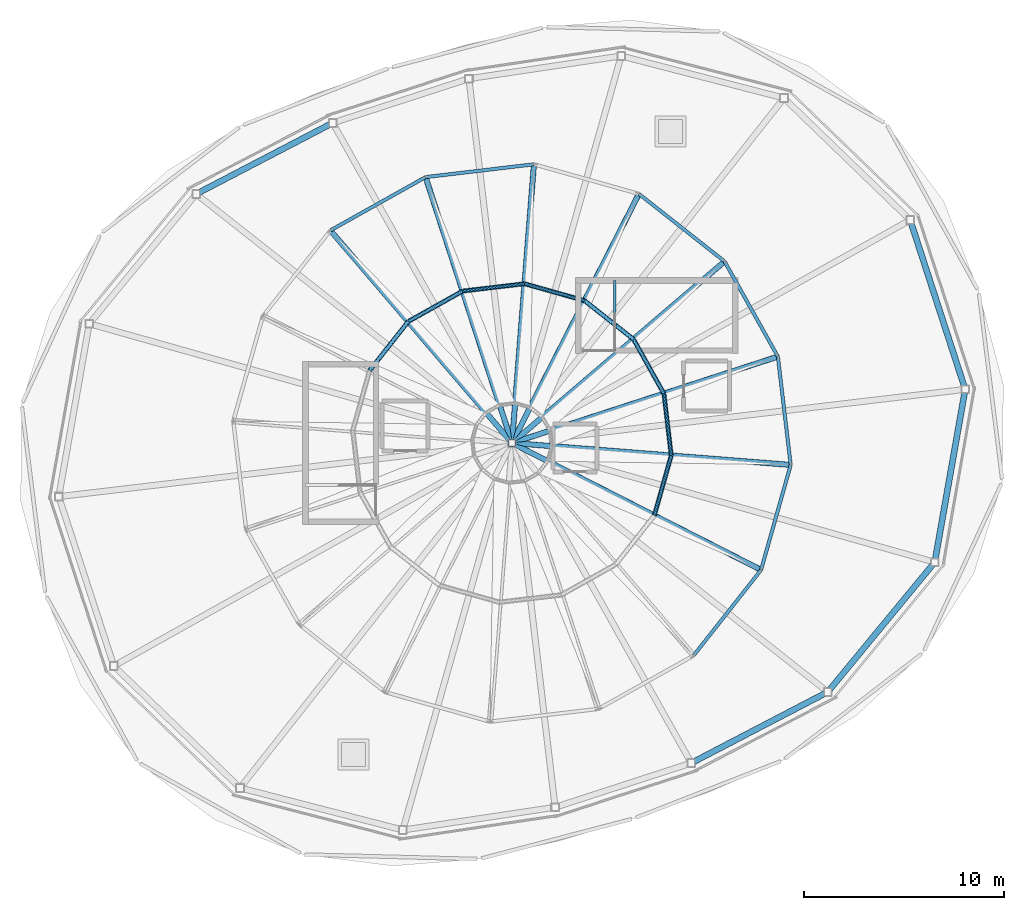
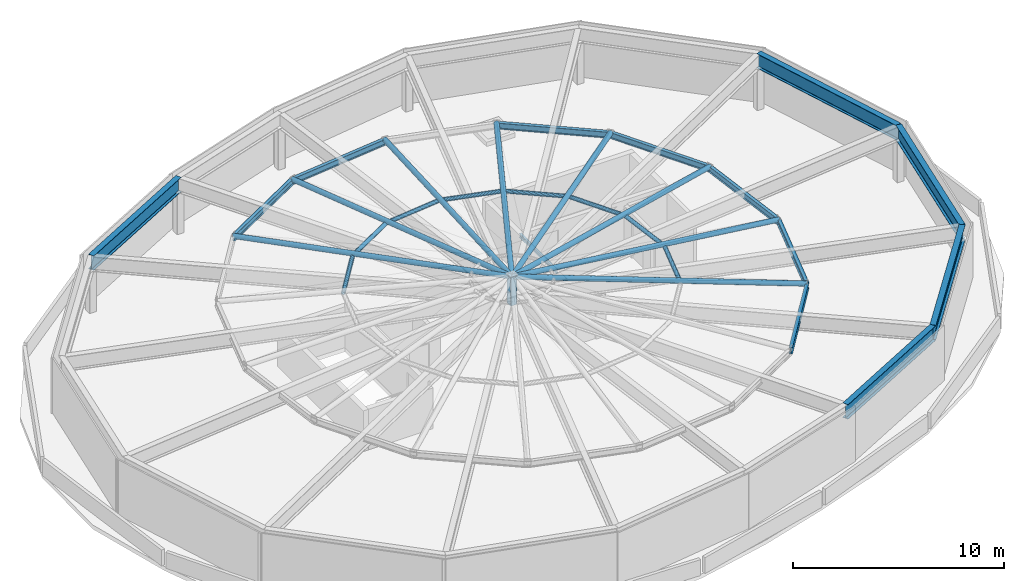
# One storey, part 2 of 9: 17 members, 13 beams.
"""IFC4 building model written with IfcOpenShell, lengths in metres."""

from ifc_helpers import new_model, si_unit, direction, frame, origin, origin_2d, place, context, subcontext, project, spatial, hollow_rectangle, hollow_circle, i_section, extrude, material, material_profile, profile_set, type_object, element, save


model = new_model("IFC4")

# Units and contexts
model_context = context("Model", 3, precision=1e-05, world=origin(), true_north=direction((0.0, 1.0)))
body_context = subcontext(model_context, "Body", "Model", "MODEL_VIEW")
ifc_project = project(units=[si_unit("LENGTHUNIT", "METRE"), si_unit("AREAUNIT", "SQUARE_METRE"), si_unit("VOLUMEUNIT", "CUBIC_METRE"), si_unit("PLANEANGLEUNIT", "RADIAN"), si_unit("MASSUNIT", "GRAM", prefix="KILO")], contexts=[model_context])

# Site, building, storey
site_placement = place(None, origin())
site = spatial("IfcSite", under=ifc_project, at=site_placement, CompositionType="ELEMENT")
building_placement = place(site_placement, origin())
building = spatial("IfcBuilding", under=site, at=building_placement, Name="Kazma Halo Residences", CompositionType="ELEMENT")
storey_placement = place(building_placement, frame((0.0, 0.0, 377.60009765625)))
storey = spatial("IfcBuildingStorey", under=building, at=storey_placement, Name="Roof", CompositionType="ELEMENT", Elevation=377.60009765625)

# Beams
ifc_material = material(Name="Steel S355", Category="steel")
ifc_material_profile_1 = material_profile(ifc_material, i_section(OverallWidth=0.299072265625, OverallDepth=0.845947265625, WebThickness=0.015380859375, FlangeThickness=0.0244140625, FilletRadius=0.02197265625, at=origin_2d()), Name="W840x210")
ifc_profile_set_1 = profile_set([ifc_material_profile_1], Name="Steel S355")
beam_type_1 = type_object("IfcBeamType", Name="BM-RING-W840", PredefinedType="BEAM", material=ifc_profile_set_1)
for number, where, z_axis, x_axis, name in (
    (1, (39.0234375, 58.02880859375, 2.77685546875), (-0.886940838721, -0.461883046461, 0.0), (0.461883046461, -0.886940838721, 0.0), "Crown top perimeter ring beam 05"),
    (2, (56.9765625, 25.97119140625, 2.77685546875), (0.886940838721, 0.461883046461, 0.0), (-0.461883046461, 0.886940838721, 0.0), "Crown top perimeter ring beam 13"),
):
    element("IfcBeam", number, at=place(storey_placement, frame(where, z_axis=z_axis, x_axis=x_axis)), inside=storey, type_object=beam_type_1, Name=name, PredefinedType="BEAM", context=body_context, shape_type="SweptSolid", body=[
        extrude(i_section(OverallWidth=0.299072265625, OverallDepth=0.845947265625, WebThickness=0.015380859375, FlangeThickness=0.0244140625, FilletRadius=0.02197265625, at=origin_2d()), origin(), (0.0, 0.0, 1.0), 7.71044921875),
    ])
beam_1_placement = place(storey_placement, frame((63.815185546875, 29.532470703125, 2.77685546875), z_axis=(0.636005014199, 0.77168492399, 0.0), x_axis=(-0.77168492399, 0.636005014199, 0.0)))
element("IfcBeam", 3, at=beam_1_placement, inside=storey, type_object=beam_type_1, Name="Crown top perimeter ring beam 14", PredefinedType="BEAM", context=body_context, shape_type="SweptSolid", body=[
    extrude(i_section(OverallWidth=0.299072265625, OverallDepth=0.845947265625, WebThickness=0.015380859375, FlangeThickness=0.0244140625, FilletRadius=0.02197265625, at=origin_2d()), origin(), (0.0, 0.0, 1.0), 8.41943359375),
])
beam_2_placement = place(storey_placement, frame((69.169921875, 36.029541015625, 2.77685546875), z_axis=(0.173642734291, 0.984808712811, 0.0), x_axis=(-0.984808712811, 0.173642734291, 0.0)))
element("IfcBeam", 4, at=beam_2_placement, inside=storey, type_object=beam_type_1, Name="Crown top perimeter ring beam 15", PredefinedType="BEAM", context=body_context, shape_type="SweptSolid", body=[
    extrude(i_section(OverallWidth=0.299072265625, OverallDepth=0.845947265625, WebThickness=0.015380859375, FlangeThickness=0.0244140625, FilletRadius=0.02197265625, at=origin_2d()), origin(), (0.0, 0.0, 1.0), 8.790283203125),
])
beam_3_placement = place(storey_placement, frame((70.6962890625, 44.686279296875, 2.77685546875), z_axis=(-0.309015498459, 0.951057002346, 0.0), x_axis=(-0.951057002346, -0.309015498459, 0.0)))
element("IfcBeam", 5, at=beam_3_placement, inside=storey, type_object=beam_type_1, Name="Crown top perimeter ring beam 16", PredefinedType="BEAM", context=body_context, shape_type="SweptSolid", body=[
    extrude(i_section(OverallWidth=0.299072265625, OverallDepth=0.845947265625, WebThickness=0.015380859375, FlangeThickness=0.0244140625, FilletRadius=0.02197265625, at=origin_2d()), origin(), (0.0, 0.0, 1.0), 8.91748046875),
])
ifc_material_profile_2 = material_profile(ifc_material, i_section(OverallWidth=0.1708984375, OverallDepth=0.35498046875, WebThickness=0.007080078125, FlangeThickness=0.01171875, FilletRadius=0.013916015625, at=origin_2d()), Name="W360x51")
ifc_profile_set_2 = profile_set([ifc_material_profile_2], Name="Steel S355")
beam_type_2 = type_object("IfcBeamType", Name="BM-SPN-W360", PredefinedType="BEAM", material=ifc_profile_set_2)
for number, where, z_axis, x_axis, name in (
    (6, (61.314697265625, 46.326171875, 2.949951171875), (-0.488592481248, 0.872512112964, 0.0), (-0.872512112964, -0.488592481248, 0.0), "Crown skylight eave ring beam 01"),
    (7, (58.645751953125, 51.09228515625, 2.949951171875), (-0.785313877715, 0.619097822213, 0.0), (-0.619097822213, -0.785313877715, 0.0), "Crown skylight eave ring beam 02"),
    (8, (49.098388671875, 55.956787109375, 2.949951171875), (-0.993067371545, -0.117546567675, 0.0), (0.117546567675, -0.993067371545, 0.0), "Crown skylight eave ring beam 04"),
    (9, (43.673828125, 55.314697265625, 2.949951171875), (-0.872512112964, -0.488592481248, 0.0), (0.488592481248, -0.872512112964, 0.0), "Crown skylight eave ring beam 05"),
    (10, (57.09228515625, 31.354248046875, 2.949951171875), (0.619097822213, 0.785313877715, 0.0), (-0.785313877715, 0.619097822213, 0.0), "Crown skylight eave ring beam 14"),
):
    element("IfcBeam", number, at=place(storey_placement, frame(where, z_axis=z_axis, x_axis=x_axis)), inside=storey, type_object=beam_type_2, Name=name, PredefinedType="BEAM", context=body_context, shape_type="SweptSolid", body=[
        extrude(i_section(OverallWidth=0.1708984375, OverallDepth=0.35498046875, WebThickness=0.007080078125, FlangeThickness=0.01171875, FilletRadius=0.013916015625, at=origin_2d()), origin(), (0.0, 0.0, 1.0), 5.46240234375),
    ])
beam_4_placement = place(storey_placement, frame((60.47412109375, 35.64404296875, 2.949951171875), z_axis=(0.271419826878, 0.962461052499, 0.0), x_axis=(-0.962461052499, 0.271419826878, 0.0)))
element("IfcBeam", 11, at=beam_4_placement, inside=storey, type_object=beam_type_2, Name="Crown skylight eave ring beam 15", PredefinedType="BEAM", context=body_context, shape_type="SweptSolid", body=[
    extrude(i_section(OverallWidth=0.1708984375, OverallDepth=0.35498046875, WebThickness=0.007080078125, FlangeThickness=0.01171875, FilletRadius=0.013916015625, at=origin_2d()), origin(), (0.0, 0.0, 1.0), 5.462646484375),
])
beam_5_placement = place(storey_placement, frame((61.956787109375, 40.901611328125, 2.949951171875), z_axis=(-0.117546567675, 0.993067371545, 0.0), x_axis=(-0.993067371545, -0.117546567675, 0.0)))
element("IfcBeam", 12, at=beam_5_placement, inside=storey, type_object=beam_type_2, Name="Crown skylight eave ring beam 16", PredefinedType="BEAM", context=body_context, shape_type="SweptSolid", body=[
    extrude(i_section(OverallWidth=0.1708984375, OverallDepth=0.35498046875, WebThickness=0.007080078125, FlangeThickness=0.01171875, FilletRadius=0.013916015625, at=origin_2d()), origin(), (0.0, 0.0, 1.0), 5.46240234375),
])
ifc_material_profile_3 = material_profile(ifc_material, i_section(OverallWidth=0.133056640625, OverallDepth=0.20703125, WebThickness=0.005859375, FlangeThickness=0.00830078125, FilletRadius=0.010009765625, at=origin_2d()), Name="W200x26.6")
ifc_profile_set_3 = profile_set([ifc_material_profile_3], Name="Steel S355")
beam_type_3 = type_object("IfcBeamType", Name="BM-TRIM-W200", PredefinedType="BEAM", material=ifc_profile_set_3)
beam_6_placement = place(storey_placement, frame((53.14990234375, 46.6201171875, -0.35009765625), z_axis=(0.0, 1.0, 0.0), x_axis=(-1.0, 0.0, 0.0)))
element("IfcBeam", 13, at=beam_6_placement, inside=storey, type_object=beam_type_3, Name="Roof ST-02 arrival landing trimmer", PredefinedType="BEAM", context=body_context, shape_type="SweptSolid", body=[
    extrude(i_section(OverallWidth=0.133056640625, OverallDepth=0.20703125, WebThickness=0.005859375, FlangeThickness=0.00830078125, FilletRadius=0.010009765625, at=origin_2d()), origin(), (0.0, 0.0, 1.0), 3.519775390625),
])

# Members
ifc_material_profile_4 = material_profile(ifc_material, hollow_rectangle(XDim=0.35009765625, YDim=0.35009765625, WallThickness=0.01611328125, InnerFilletRadius=0.01611328125, OuterFilletRadius=0.031982421875, at=origin_2d()), Name="SHS350x350x16")
ifc_profile_set_4 = profile_set([ifc_material_profile_4], Name="Steel S355")
member_type_1 = type_object("IfcMemberType", Name="MBR-POST-SHS350", PredefinedType="STRUT", material=ifc_profile_set_4)
member_1_placement = place(storey_placement, frame((48.0, 42.0, 2.427001953125), z_axis=(0.0, 0.0, 1.0), x_axis=(1.0, 0.0, 0.0)))
element("IfcMember", 14, at=member_1_placement, inside=storey, type_object=member_type_1, Name="Crown skylight central hub kingpost", PredefinedType="STRUT", context=body_context, shape_type="SweptSolid", body=[
    extrude(hollow_rectangle(XDim=0.35009765625, YDim=0.35009765625, WallThickness=0.01611328125, InnerFilletRadius=0.01611328125, OuterFilletRadius=0.031982421875, at=origin_2d()), origin(), (0.0, 0.0, 1.0), 1.6650390625),
])
ifc_material_profile_5 = material_profile(ifc_material, hollow_circle(Radius=0.109619140625, WallThickness=0.008056640625, at=origin_2d()), Name="CHS219.1x8")
ifc_profile_set_5 = profile_set([ifc_material_profile_5], Name="Steel S355")
member_type_2 = type_object("IfcMemberType", Name="MBR-SKYL-CHS219", PredefinedType="PURLIN", material=ifc_profile_set_5)
member_2_placement = place(storey_placement, frame((55.6083984375, 44.47216796875, 3.3388671875), z_axis=(-0.488615277533, 0.872499347027, 0.0), x_axis=(-0.872499347027, -0.488615277533, 0.0)))
element("IfcMember", 15, at=member_2_placement, inside=storey, type_object=member_type_2, Name="Crown skylight purlin 01", PredefinedType="PURLIN", context=body_context, shape_type="SweptSolid", body=[
    extrude(hollow_circle(Radius=0.109619140625, WallThickness=0.008056640625, at=origin_2d()), origin(), (0.0, 0.0, 1.0), 3.121337890625),
])
member_3_placement = place(storey_placement, frame((54.083251953125, 47.195556640625, 3.3388671875), z_axis=(-0.785304996369, 0.619109087866, 0.0), x_axis=(-0.619109087866, -0.785304996369, 0.0)))
element("IfcMember", 16, at=member_3_placement, inside=storey, type_object=member_type_2, Name="Crown skylight purlin 02", PredefinedType="PURLIN", context=body_context, shape_type="SweptSolid", body=[
    extrude(hollow_circle(Radius=0.109619140625, WallThickness=0.008056640625, at=origin_2d()), origin(), (0.0, 0.0, 1.0), 3.12158203125),
])
member_4_placement = place(storey_placement, frame((51.6318359375, 49.128173828125, 3.3388671875), z_axis=(-0.962462774581, 0.27141372026, 0.0), x_axis=(-0.27141372026, -0.962462774581, 0.0)))
element("IfcMember", 17, at=member_4_placement, inside=storey, type_object=member_type_2, Name="Crown skylight purlin 03", PredefinedType="PURLIN", context=body_context, shape_type="SweptSolid", body=[
    extrude(hollow_circle(Radius=0.109619140625, WallThickness=0.008056640625, at=origin_2d()), origin(), (0.0, 0.0, 1.0), 3.121337890625),
])
member_5_placement = place(storey_placement, frame((48.627685546875, 49.975341796875, 3.3388671875), z_axis=(-0.993066530397, -0.117553673717, 0.0), x_axis=(0.117553673717, -0.993066530397, 0.0)))
element("IfcMember", 18, at=member_5_placement, inside=storey, type_object=member_type_2, Name="Crown skylight purlin 04", PredefinedType="PURLIN", context=body_context, shape_type="SweptSolid", body=[
    extrude(hollow_circle(Radius=0.109619140625, WallThickness=0.008056640625, at=origin_2d()), origin(), (0.0, 0.0, 1.0), 3.12158203125),
])
member_6_placement = place(storey_placement, frame((45.52783203125, 49.6083984375, 3.3388671875), z_axis=(-0.872499347027, -0.488615277533, 0.0), x_axis=(0.488615277533, -0.872499347027, 0.0)))
element("IfcMember", 19, at=member_6_placement, inside=storey, type_object=member_type_2, Name="Crown skylight purlin 05", PredefinedType="PURLIN", context=body_context, shape_type="SweptSolid", body=[
    extrude(hollow_circle(Radius=0.109619140625, WallThickness=0.008056640625, at=origin_2d()), origin(), (0.0, 0.0, 1.0), 3.121337890625),
])
member_7_placement = place(storey_placement, frame((42.804443359375, 48.083251953125, 3.3388671875), z_axis=(-0.619109087866, -0.785304996369, 0.0), x_axis=(0.785304996369, -0.619109087866, 0.0)))
element("IfcMember", 20, at=member_7_placement, inside=storey, type_object=member_type_2, Name="Crown skylight purlin 06", PredefinedType="PURLIN", context=body_context, shape_type="SweptSolid", body=[
    extrude(hollow_circle(Radius=0.109619140625, WallThickness=0.008056640625, at=origin_2d()), origin(), (0.0, 0.0, 1.0), 3.12158203125),
])
member_8_placement = place(storey_placement, frame((55.128173828125, 38.3681640625, 3.3388671875), z_axis=(0.27141372026, 0.962462774581, 0.0), x_axis=(-0.962462774581, 0.27141372026, 0.0)))
element("IfcMember", 21, at=member_8_placement, inside=storey, type_object=member_type_2, Name="Crown skylight purlin 15", PredefinedType="PURLIN", context=body_context, shape_type="SweptSolid", body=[
    extrude(hollow_circle(Radius=0.109619140625, WallThickness=0.008056640625, at=origin_2d()), origin(), (0.0, 0.0, 1.0), 3.121337890625),
])
member_9_placement = place(storey_placement, frame((55.975341796875, 41.372314453125, 3.3388671875), z_axis=(-0.117553673717, 0.993066530397, 0.0), x_axis=(-0.993066530397, -0.117553673717, 0.0)))
element("IfcMember", 22, at=member_9_placement, inside=storey, type_object=member_type_2, Name="Crown skylight purlin 16", PredefinedType="PURLIN", context=body_context, shape_type="SweptSolid", body=[
    extrude(hollow_circle(Radius=0.109619140625, WallThickness=0.008056640625, at=origin_2d()), origin(), (0.0, 0.0, 1.0), 3.12158203125),
])
ifc_material_profile_6 = material_profile(ifc_material, hollow_circle(Radius=0.136474609375, WallThickness=0.010009765625, at=origin_2d()), Name="CHS273x10")
ifc_profile_set_6 = profile_set([ifc_material_profile_6], Name="Steel S355")
member_type_3 = type_object("IfcMemberType", Name="MBR-SKYL-CHS273", PredefinedType="RAFTER", material=ifc_profile_set_6)
member_10_placement = place(storey_placement, frame((61.314697265625, 46.326171875, 3.059814453125), z_axis=(-0.949045199896, -0.308360946553, 0.065013346294), x_axis=(0.309014699749, -0.951057261861, 0.0)))
element("IfcMember", 23, at=member_10_placement, inside=storey, type_object=member_type_3, Name="Crown 5.2-deg skylight radial rafter 01", PredefinedType="RAFTER", context=body_context, shape_type="SweptSolid", body=[
    extrude(hollow_circle(Radius=0.136474609375, WallThickness=0.010009765625, at=origin_2d()), origin(), (0.0, 0.0, 1.0), 14.029541015625),
])
for number, where, z_axis, x_axis, name in (
    (24, (58.645751953125, 51.09228515625, 3.059814453125), (-0.758798903592, -0.648072211158, 0.065012560574), (0.649446149754, -0.760407587133, 0.0), "Crown 5.2-deg skylight radial rafter 02"),
    (25, (54.35595703125, 54.47412109375, 3.059814453125), (-0.453034296014, -0.889119394659, 0.065012527076), (0.891004360822, -0.45399474556, 0.0), "Crown 5.2-deg skylight radial rafter 03"),
):
    element("IfcMember", number, at=place(storey_placement, frame(where, z_axis=z_axis, x_axis=x_axis)), inside=storey, type_object=member_type_3, Name=name, PredefinedType="RAFTER", context=body_context, shape_type="SweptSolid", body=[
        extrude(hollow_circle(Radius=0.136474609375, WallThickness=0.010009765625, at=origin_2d()), origin(), (0.0, 0.0, 1.0), 14.02978515625),
    ])
for number, where, z_axis, x_axis, name in (
    (26, (49.098388671875, 55.956787109375, 3.059814453125), (-0.078290678995, -0.994808456568, 0.065013108852), (0.996917525338, -0.078456661124, 0.0), "Crown 5.2-deg skylight radial rafter 04"),
    (27, (43.673828125, 55.314697265625, 3.059814453125), (0.308360946553, -0.949045199896, 0.065013346294), (0.951057261861, 0.309014699749, 0.0), "Crown 5.2-deg skylight radial rafter 05"),
):
    element("IfcMember", number, at=place(storey_placement, frame(where, z_axis=z_axis, x_axis=x_axis)), inside=storey, type_object=member_type_3, Name=name, PredefinedType="RAFTER", context=body_context, shape_type="SweptSolid", body=[
        extrude(hollow_circle(Radius=0.136474609375, WallThickness=0.010009765625, at=origin_2d()), origin(), (0.0, 0.0, 1.0), 14.029541015625),
    ])
for number, where, z_axis, x_axis, name in (
    (28, (38.90771484375, 52.645751953125, 3.059814453125), (0.648072211158, -0.758798903592, 0.065012560574), (0.760407587133, 0.649446149754, 0.0), "Crown 5.2-deg skylight radial rafter 06"),
    (29, (60.47412109375, 35.64404296875, 3.059814453125), (-0.889119394659, 0.453034296014, 0.065012527076), (-0.45399474556, -0.891004360822, 0.0), "Crown 5.2-deg skylight radial rafter 15"),
):
    element("IfcMember", number, at=place(storey_placement, frame(where, z_axis=z_axis, x_axis=x_axis)), inside=storey, type_object=member_type_3, Name=name, PredefinedType="RAFTER", context=body_context, shape_type="SweptSolid", body=[
        extrude(hollow_circle(Radius=0.136474609375, WallThickness=0.010009765625, at=origin_2d()), origin(), (0.0, 0.0, 1.0), 14.02978515625),
    ])
member_11_placement = place(storey_placement, frame((61.956787109375, 40.901611328125, 3.059814453125), z_axis=(-0.994808456568, 0.078290678995, 0.065013108852), x_axis=(-0.078456661124, -0.996917525338, 0.0)))
element("IfcMember", 30, at=member_11_placement, inside=storey, type_object=member_type_3, Name="Crown 5.2-deg skylight radial rafter 16", PredefinedType="RAFTER", context=body_context, shape_type="SweptSolid", body=[
    extrude(hollow_circle(Radius=0.136474609375, WallThickness=0.010009765625, at=origin_2d()), origin(), (0.0, 0.0, 1.0), 14.029541015625),
])

save(model, "model.ifc")
